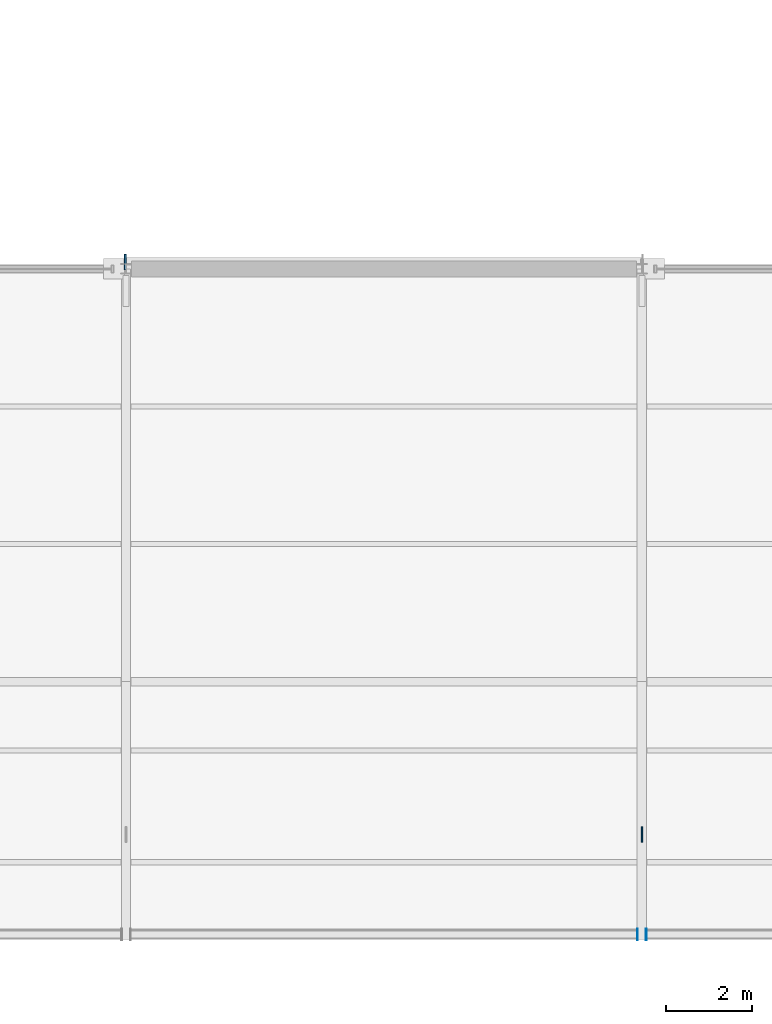
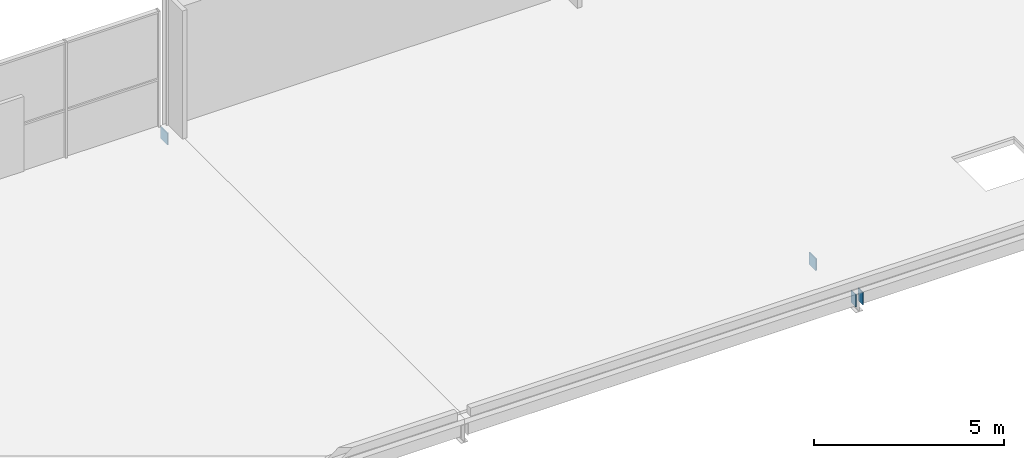
# One storey, part 132 of 159: 4 plates.
"""IFC4 building model written with IfcOpenShell, lengths in metres."""

from ifc_helpers import new_model, si_unit, direction, frame, origin, origin_2d, place, context, subcontext, project, spatial, rectangle, extrude, material, layer, layer_set, type_object, element, save


model = new_model("IFC4")

# Units and contexts
model_context = context("Model", 3, precision=1e-05, world=origin(), true_north=direction((0.0, 1.0)))
body_context = subcontext(model_context, "Body", "Model", "MODEL_VIEW")
ifc_project = project(units=[si_unit("LENGTHUNIT", "METRE"), si_unit("AREAUNIT", "SQUARE_METRE"), si_unit("VOLUMEUNIT", "CUBIC_METRE"), si_unit("PLANEANGLEUNIT", "RADIAN"), si_unit("MASSUNIT", "GRAM", prefix="KILO")], contexts=[model_context])

# Site, building, storey
site_placement = place(None, origin())
site = spatial("IfcSite", under=ifc_project, at=site_placement, CompositionType="ELEMENT")
building_placement = place(site_placement, origin())
building = spatial("IfcBuilding", under=site, at=building_placement, Name="Merenkruunu Market Hall", CompositionType="ELEMENT")
storey_placement = place(building_placement, frame((0.0, 0.0, 5.39990234375)))
storey = spatial("IfcBuildingStorey", under=building, at=storey_placement, Name="L01", CompositionType="ELEMENT", Elevation=5.39990234375)

# Plates
ifc_material = material(Name="Steel S355ML", Category="steel")
ifc_layer_1 = layer(ifc_material, 0.02001953125)
ifc_layer_set_1 = layer_set([ifc_layer_1], Name="Steel S355ML")
plate_type_1 = type_object("IfcPlateType", Name="Truss Gusset Or Cap Plate CP07", PredefinedType="USERDEFINED", material=ifc_layer_set_1)
for number, where, z_axis, x_axis, name in (
    (1, (100.697021484375, 0.1201171875, 0.03515625), (0.0, 0.0, 1.0), (1.0, 0.0, 0.0), "PLT-V6-ENDCAP-20"),
    (2, (100.903076171875, 0.1201171875, 0.03515625), (0.0, 0.0, 1.0), (1.0, 0.0, 0.0), "PLT-V6-ENDCAP-21"),
):
    element("IfcPlate", number, at=place(storey_placement, frame(where, z_axis=z_axis, x_axis=x_axis)), inside=storey, type_object=plate_type_1, Name=name, ObjectType="GUSSET_PLATE", PredefinedType="USERDEFINED", context=body_context, shape_type="SweptSolid", body=[
        extrude(rectangle(XDim=0.02001953125, YDim=0.260009765625, at=origin_2d()), origin(), (0.0, 0.0, 1.0), 0.39990234375),
    ])
ifc_layer_2 = layer(ifc_material, 0.035888671875)
ifc_layer_set_2 = layer_set([ifc_layer_2], Name="Steel S355ML")
plate_type_2 = type_object("IfcPlateType", Name="Truss Gusset Or Cap Plate CP08", PredefinedType="USERDEFINED", material=ifc_layer_set_2)
for number, where, z_axis, x_axis, name in (
    (3, (100.800048828125, 2.449951171875, -0.2099609375), (0.0, 0.0, 1.0), (1.0, 0.0, 0.0), "PLT-V6-STRUT-101-B"),
    (4, (88.781982421875, 15.760009765625, -0.039794921875), (0.0, 0.0, 1.0), (1.0, 0.0, 0.0), "PLT-CBF08-A"),
):
    element("IfcPlate", number, at=place(storey_placement, frame(where, z_axis=z_axis, x_axis=x_axis)), inside=storey, type_object=plate_type_2, Name=name, ObjectType="GUSSET_PLATE", PredefinedType="USERDEFINED", context=body_context, shape_type="SweptSolid", body=[
        extrude(rectangle(XDim=0.035888671875, YDim=0.360107421875, at=origin_2d()), origin(), (0.0, 0.0, 1.0), 0.3798828125),
    ])

save(model, "model.ifc")
